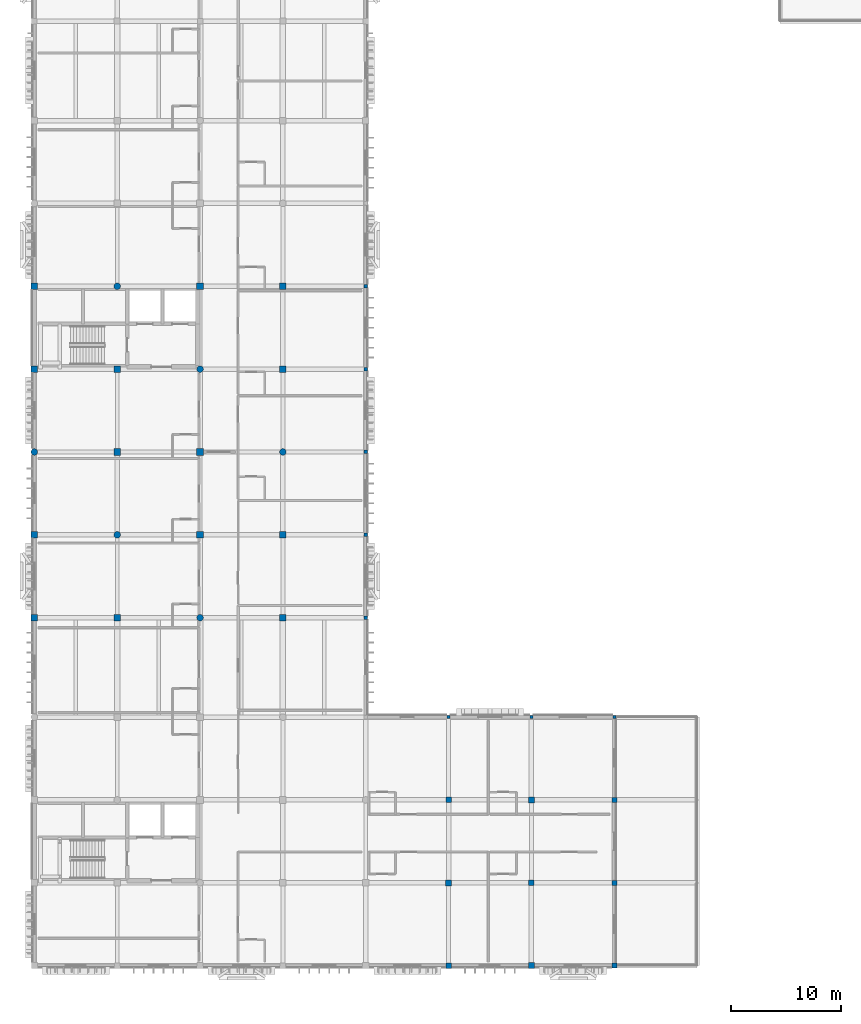
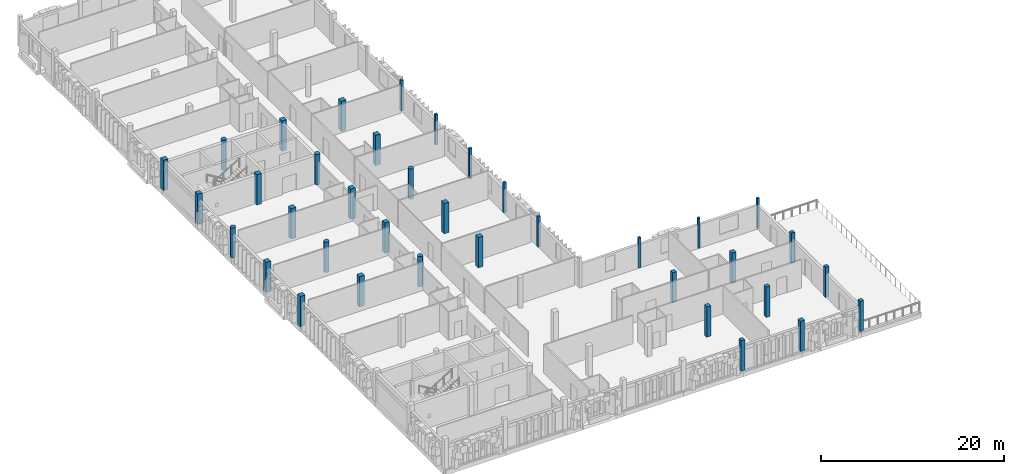
# One storey, part 2 of 33: 37 columns.
"""IFC4 building model written with IfcOpenShell, lengths in metres."""

from ifc_helpers import new_model, si_unit, direction, frame, origin, origin_2d, place, context, subcontext, project, spatial, rectangle, circle, extrude, material, material_profile, profile_set, type_object, element, save


model = new_model("IFC4")

# Units and contexts
model_context = context("Model", 3, precision=1e-05, world=origin(), true_north=direction((0.0, 1.0)))
body_context = subcontext(model_context, "Body", "Model", "MODEL_VIEW")
ifc_project = project(units=[si_unit("LENGTHUNIT", "METRE"), si_unit("AREAUNIT", "SQUARE_METRE"), si_unit("VOLUMEUNIT", "CUBIC_METRE"), si_unit("PLANEANGLEUNIT", "RADIAN"), si_unit("MASSUNIT", "GRAM", prefix="KILO")], contexts=[model_context])

# Site, building, storey
site_placement = place(None, origin())
site = spatial("IfcSite", under=ifc_project, at=site_placement, CompositionType="ELEMENT")
building_placement = place(site_placement, origin())
building = spatial("IfcBuilding", under=site, at=building_placement, Name="Dalvernix Boulevard General Hospital", CompositionType="ELEMENT")
storey_placement = place(building_placement, frame((0.0, 0.0, 21.89990234375)))
storey = spatial("IfcBuildingStorey", under=building, at=storey_placement, Name="L05", CompositionType="ELEMENT", Elevation=21.89990234375)

# Columns
ifc_material_1 = material(Name="Concrete C40/50", Category="concrete")
ifc_material_profile_1 = material_profile(ifc_material_1, rectangle(XDim=0.60009765625, YDim=0.60009765625, at=origin_2d()), Name="RC 600x600")
ifc_profile_set_1 = profile_set([ifc_material_profile_1], Name="Concrete C40/50")
column_type_1 = type_object("IfcColumnType", Name="COL-C-07-E", PredefinedType="COLUMN", material=ifc_profile_set_1)
for number, where, z_axis, x_axis, name in (
    (1, (0.0, 31.5, 0.0), (0.0, 0.0, 1.0), (1.0, 0.0, 0.0), "L05 column 1E"),
    (2, (0.0, 39.0, 0.0), (0.0, 0.0, 1.0), (1.0, 0.0, 0.0), "L05 column 1F"),
    (3, (0.0, 54.0, 0.0), (0.0, 0.0, 1.0), (1.0, 0.0, 0.0), "L05 column 1H"),
    (4, (0.0, 61.5, 0.0), (0.0, 0.0, 1.0), (1.0, 0.0, 0.0), "L05 column 1J"),
):
    element("IfcColumn", number, at=place(storey_placement, frame(where, z_axis=z_axis, x_axis=x_axis)), inside=storey, type_object=column_type_1, Name=name, PredefinedType="COLUMN", context=body_context, shape_type="SweptSolid", body=[
        extrude(rectangle(XDim=0.60009765625, YDim=0.60009765625, at=origin_2d()), origin(), (0.0, 0.0, 1.0), 4.050048828125),
    ])
ifc_material_profile_2 = material_profile(ifc_material_1, rectangle(XDim=0.60009765625, YDim=0.60009765625, at=origin_2d()), Name="RC 600x600")
ifc_profile_set_2 = profile_set([ifc_material_profile_2], Name="Concrete C40/50")
column_type_2 = type_object("IfcColumnType", Name="COL-C-07-I", PredefinedType="COLUMN", material=ifc_profile_set_2)
for number, where, z_axis, x_axis, name in (
    (5, (7.5, 31.5, 0.0), (0.0, 0.0, 1.0), (1.0, 0.0, 0.0), "L05 column 2E"),
    (6, (7.5, 46.5, 0.0), (0.0, 0.0, 1.0), (1.0, 0.0, 0.0), "L05 column 2G"),
    (7, (7.5, 54.0, 0.0), (0.0, 0.0, 1.0), (1.0, 0.0, 0.0), "L05 column 2H"),
    (8, (15.0, 39.0, 0.0), (0.0, 0.0, 1.0), (1.0, 0.0, 0.0), "L05 column 3F"),
    (9, (15.0, 46.5, 0.0), (0.0, 0.0, 1.0), (1.0, 0.0, 0.0), "L05 column 3G"),
    (10, (15.0, 61.5, 0.0), (0.0, 0.0, 1.0), (1.0, 0.0, 0.0), "L05 column 3J"),
    (11, (22.5, 31.5, 0.0), (0.0, 0.0, 1.0), (1.0, 0.0, 0.0), "L05 column 4E"),
    (12, (22.5, 39.0, 0.0), (0.0, 0.0, 1.0), (1.0, 0.0, 0.0), "L05 column 4F"),
    (13, (22.5, 54.0, 0.0), (0.0, 0.0, 1.0), (1.0, 0.0, 0.0), "L05 column 4H"),
    (14, (22.5, 61.5, 0.0), (0.0, 0.0, 1.0), (1.0, 0.0, 0.0), "L05 column 4J"),
):
    element("IfcColumn", number, at=place(storey_placement, frame(where, z_axis=z_axis, x_axis=x_axis)), inside=storey, type_object=column_type_2, Name=name, PredefinedType="COLUMN", context=body_context, shape_type="SweptSolid", body=[
        extrude(rectangle(XDim=0.60009765625, YDim=0.60009765625, at=origin_2d()), origin(), (0.0, 0.0, 1.0), 4.050048828125),
    ])
ifc_material_profile_3 = material_profile(ifc_material_1, rectangle(XDim=0.550048828125, YDim=0.550048828125, at=origin_2d()), Name="RC 550x550")
ifc_profile_set_3 = profile_set([ifc_material_profile_3], Name="Concrete C40/50")
column_type_3 = type_object("IfcColumnType", Name="COL-C-08-E", PredefinedType="COLUMN", material=ifc_profile_set_3)
column_1_placement = place(storey_placement, frame((45.0, 0.0, 0.0), z_axis=(0.0, 0.0, 1.0), x_axis=(1.0, 0.0, 0.0)))
element("IfcColumn", 15, at=column_1_placement, inside=storey, type_object=column_type_3, Name="L05 column 7A", PredefinedType="COLUMN", context=body_context, shape_type="SweptSolid", body=[
    extrude(rectangle(XDim=0.550048828125, YDim=0.550048828125, at=origin_2d()), origin(), (0.0, 0.0, 1.0), 4.050048828125),
])
ifc_material_profile_4 = material_profile(ifc_material_1, rectangle(XDim=0.550048828125, YDim=0.550048828125, at=origin_2d()), Name="RC 550x550")
ifc_profile_set_4 = profile_set([ifc_material_profile_4], Name="Concrete C40/50")
column_type_4 = type_object("IfcColumnType", Name="COL-C-08-I", PredefinedType="COLUMN", material=ifc_profile_set_4)
for number, where, z_axis, x_axis, name in (
    (16, (37.5, 7.5, 0.0), (0.0, 0.0, 1.0), (1.0, 0.0, 0.0), "L05 column 6B"),
    (17, (45.0, 15.0, 0.0), (0.0, 0.0, 1.0), (1.0, 0.0, 0.0), "L05 column 7C"),
):
    element("IfcColumn", number, at=place(storey_placement, frame(where, z_axis=z_axis, x_axis=x_axis)), inside=storey, type_object=column_type_4, Name=name, PredefinedType="COLUMN", context=body_context, shape_type="SweptSolid", body=[
        extrude(rectangle(XDim=0.550048828125, YDim=0.550048828125, at=origin_2d()), origin(), (0.0, 0.0, 1.0), 4.050048828125),
    ])
ifc_material_profile_5 = material_profile(ifc_material_1, rectangle(XDim=0.5, YDim=0.5, at=origin_2d()), Name="RC 500x500")
ifc_profile_set_5 = profile_set([ifc_material_profile_5], Name="Concrete C40/50")
column_type_5 = type_object("IfcColumnType", Name="COL-C-09-E", PredefinedType="COLUMN", material=ifc_profile_set_5)
column_2_placement = place(storey_placement, frame((37.5, 0.0, 0.0), z_axis=(0.0, 0.0, 1.0), x_axis=(1.0, 0.0, 0.0)))
element("IfcColumn", 18, at=column_2_placement, inside=storey, type_object=column_type_5, Name="L05 column 6A", PredefinedType="COLUMN", context=body_context, shape_type="SweptSolid", body=[
    extrude(rectangle(XDim=0.5, YDim=0.5, at=origin_2d()), origin(), (0.0, 0.0, 1.0), 4.050048828125),
])
ifc_material_profile_6 = material_profile(ifc_material_1, rectangle(XDim=0.5, YDim=0.5, at=origin_2d()), Name="RC 500x500")
ifc_profile_set_6 = profile_set([ifc_material_profile_6], Name="Concrete C40/50")
column_type_6 = type_object("IfcColumnType", Name="COL-C-09-I", PredefinedType="COLUMN", material=ifc_profile_set_6)
for number, where, z_axis, x_axis, name in (
    (19, (37.5, 15.0, 0.0), (0.0, 0.0, 1.0), (1.0, 0.0, 0.0), "L05 column 6C"),
    (20, (45.0, 7.5, 0.0), (0.0, 0.0, 1.0), (1.0, 0.0, 0.0), "L05 column 7B"),
):
    element("IfcColumn", number, at=place(storey_placement, frame(where, z_axis=z_axis, x_axis=x_axis)), inside=storey, type_object=column_type_6, Name=name, PredefinedType="COLUMN", context=body_context, shape_type="SweptSolid", body=[
        extrude(rectangle(XDim=0.5, YDim=0.5, at=origin_2d()), origin(), (0.0, 0.0, 1.0), 4.050048828125),
    ])
ifc_material_profile_7 = material_profile(ifc_material_1, rectangle(XDim=0.449951171875, YDim=0.449951171875, at=origin_2d()), Name="RC 450x450")
ifc_profile_set_7 = profile_set([ifc_material_profile_7], Name="Concrete C40/50")
column_type_7 = type_object("IfcColumnType", Name="COL-C-10-E", PredefinedType="COLUMN", material=ifc_profile_set_7)
for number, where, z_axis, x_axis, name in (
    (21, (52.5, 0.0, 0.0), (0.0, 0.0, 1.0), (1.0, 0.0, 0.0), "L05 column 8A"),
    (22, (52.5, 7.5, 0.0), (0.0, 0.0, 1.0), (1.0, 0.0, 0.0), "L05 column 8B"),
    (23, (52.5, 15.0, 0.0), (0.0, 0.0, 1.0), (1.0, 0.0, 0.0), "L05 column 8C"),
):
    element("IfcColumn", number, at=place(storey_placement, frame(where, z_axis=z_axis, x_axis=x_axis)), inside=storey, type_object=column_type_7, Name=name, PredefinedType="COLUMN", context=body_context, shape_type="SweptSolid", body=[
        extrude(rectangle(XDim=0.449951171875, YDim=0.449951171875, at=origin_2d()), origin(), (0.0, 0.0, 1.0), 4.050048828125),
    ])
ifc_material_profile_8 = material_profile(ifc_material_1, circle(Radius=0.300048828125, at=origin_2d()), Name="RC D600")
ifc_profile_set_8 = profile_set([ifc_material_profile_8], Name="Concrete C40/50")
column_type_8 = type_object("IfcColumnType", Name="COL-C-15-E", PredefinedType="COLUMN", material=ifc_profile_set_8)
column_3_placement = place(storey_placement, frame((0.0, 46.5, 0.0), z_axis=(0.0, 0.0, 1.0), x_axis=(1.0, 0.0, 0.0)))
element("IfcColumn", 24, at=column_3_placement, inside=storey, type_object=column_type_8, Name="L05 column 1G", PredefinedType="COLUMN", context=body_context, shape_type="SweptSolid", body=[
    extrude(circle(Radius=0.300048828125, at=origin_2d()), origin(), (0.0, 0.0, 1.0), 4.050048828125),
])
ifc_material_profile_9 = material_profile(ifc_material_1, circle(Radius=0.300048828125, at=origin_2d()), Name="RC D600")
ifc_profile_set_9 = profile_set([ifc_material_profile_9], Name="Concrete C40/50")
column_type_9 = type_object("IfcColumnType", Name="COL-C-15-I", PredefinedType="COLUMN", material=ifc_profile_set_9)
for number, where, z_axis, x_axis, name in (
    (25, (7.5, 39.0, 0.0), (0.0, 0.0, 1.0), (1.0, 0.0, 0.0), "L05 column 2F"),
    (26, (7.5, 61.5, 0.0), (0.0, 0.0, 1.0), (1.0, 0.0, 0.0), "L05 column 2J"),
    (27, (15.0, 31.5, 0.0), (0.0, 0.0, 1.0), (1.0, 0.0, 0.0), "L05 column 3E"),
    (28, (15.0, 54.0, 0.0), (0.0, 0.0, 1.0), (1.0, 0.0, 0.0), "L05 column 3H"),
    (29, (22.5, 46.5, 0.0), (0.0, 0.0, 1.0), (1.0, 0.0, 0.0), "L05 column 4G"),
):
    element("IfcColumn", number, at=place(storey_placement, frame(where, z_axis=z_axis, x_axis=x_axis)), inside=storey, type_object=column_type_9, Name=name, PredefinedType="COLUMN", context=body_context, shape_type="SweptSolid", body=[
        extrude(circle(Radius=0.300048828125, at=origin_2d()), origin(), (0.0, 0.0, 1.0), 4.050048828125),
    ])
ifc_material_2 = material(Name="Glulam GL28h", Category="wood")
ifc_material_profile_10 = material_profile(ifc_material_2, rectangle(XDim=0.320068359375, YDim=0.320068359375, at=origin_2d()), Name="GL28h 320x320")
ifc_profile_set_10 = profile_set([ifc_material_profile_10], Name="Glulam GL28h")
column_type_10 = type_object("IfcColumnType", Name="COL-C-20-E", PredefinedType="COLUMN", material=ifc_profile_set_10)
for number, where, z_axis, x_axis, name in (
    (30, (30.0, 31.5, 0.0), (0.0, 0.0, 1.0), (1.0, 0.0, 0.0), "L05 column 5E"),
    (31, (30.0, 39.0, 0.0), (0.0, 0.0, 1.0), (1.0, 0.0, 0.0), "L05 column 5F"),
    (32, (30.0, 46.5, 0.0), (0.0, 0.0, 1.0), (1.0, 0.0, 0.0), "L05 column 5G"),
    (33, (30.0, 54.0, 0.0), (0.0, 0.0, 1.0), (1.0, 0.0, 0.0), "L05 column 5H"),
    (34, (30.0, 61.5, 0.0), (0.0, 0.0, 1.0), (1.0, 0.0, 0.0), "L05 column 5J"),
):
    element("IfcColumn", number, at=place(storey_placement, frame(where, z_axis=z_axis, x_axis=x_axis)), inside=storey, type_object=column_type_10, Name=name, PredefinedType="COLUMN", context=body_context, shape_type="SweptSolid", body=[
        extrude(rectangle(XDim=0.320068359375, YDim=0.320068359375, at=origin_2d()), origin(), (0.0, 0.0, 1.0), 4.050048828125),
    ])
ifc_material_profile_11 = material_profile(ifc_material_2, rectangle(XDim=0.280029296875, YDim=0.280029296875, at=origin_2d()), Name="GL28h 280x280")
ifc_profile_set_11 = profile_set([ifc_material_profile_11], Name="Glulam GL28h")
column_type_11 = type_object("IfcColumnType", Name="COL-C-21-E", PredefinedType="COLUMN", material=ifc_profile_set_11)
for number, where, z_axis, x_axis, name in (
    (35, (37.5, 22.5, 0.0), (0.0, 0.0, 1.0), (1.0, 0.0, 0.0), "L05 column 6D"),
    (36, (45.0, 22.5, 0.0), (0.0, 0.0, 1.0), (1.0, 0.0, 0.0), "L05 column 7D"),
    (37, (52.5, 22.5, 0.0), (0.0, 0.0, 1.0), (1.0, 0.0, 0.0), "L05 column 8D"),
):
    element("IfcColumn", number, at=place(storey_placement, frame(where, z_axis=z_axis, x_axis=x_axis)), inside=storey, type_object=column_type_11, Name=name, PredefinedType="COLUMN", context=body_context, shape_type="SweptSolid", body=[
        extrude(rectangle(XDim=0.280029296875, YDim=0.280029296875, at=origin_2d()), origin(), (0.0, 0.0, 1.0), 4.050048828125),
    ])

save(model, "model.ifc")
